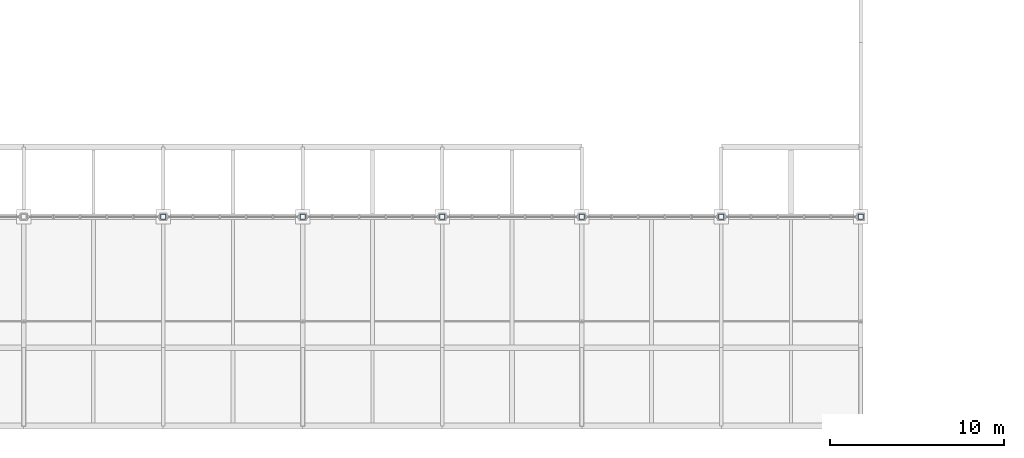
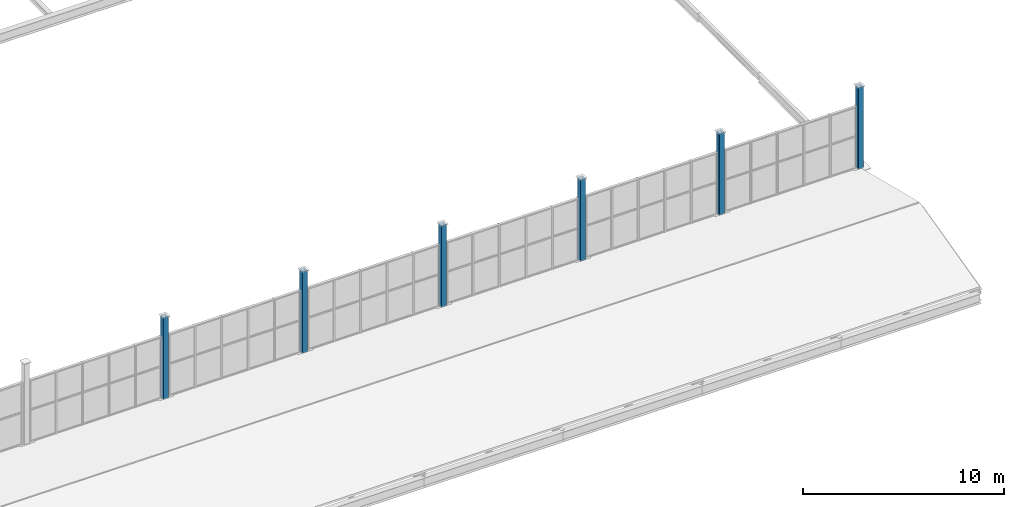
# One storey, part 8 of 96: 6 columns.
"""IFC4 building model written with IfcOpenShell, lengths in metres."""

from ifc_helpers import new_model, si_unit, direction, frame, origin, origin_2d, place, context, subcontext, project, spatial, hollow_rectangle, extrude, material, material_profile, profile_set, type_object, element, save


model = new_model("IFC4")

# Units and contexts
model_context = context("Model", 3, precision=1e-05, world=origin(), true_north=direction((0.0, 1.0)))
body_context = subcontext(model_context, "Body", "Model", "MODEL_VIEW")
ifc_project = project(units=[si_unit("LENGTHUNIT", "METRE"), si_unit("AREAUNIT", "SQUARE_METRE"), si_unit("VOLUMEUNIT", "CUBIC_METRE"), si_unit("PLANEANGLEUNIT", "RADIAN"), si_unit("MASSUNIT", "GRAM", prefix="KILO")], contexts=[model_context])

# Site, building, storey
site_placement = place(None, origin())
site = spatial("IfcSite", under=ifc_project, at=site_placement, CompositionType="ELEMENT")
building_placement = place(site_placement, origin())
building = spatial("IfcBuilding", under=site, at=building_placement, Name="Verrall Gate Interchange", CompositionType="ELEMENT")
storey_placement = place(building_placement, frame((0.0, 0.0, 11.39990234375)))
storey = spatial("IfcBuildingStorey", under=building, at=storey_placement, Name="L03", CompositionType="ELEMENT", Elevation=11.39990234375)

# Columns
ifc_material = material(Name="Structural Steel CSA G40.21 350WT Cat 4", Category="steel")
ifc_material_profile = material_profile(ifc_material, hollow_rectangle(XDim=0.304931640625, YDim=0.304931640625, WallThickness=0.0126953125, InnerFilletRadius=0.0126953125, OuterFilletRadius=0.025390625, at=origin_2d()), Name="HSS305x305x13")
ifc_profile_set = profile_set([ifc_material_profile], Name="Structural Steel CSA G40.21 350WT Cat 4")
column_type = type_object("IfcColumnType", Name="C-12 Column HSS305x305x13", PredefinedType="COLUMN", material=ifc_profile_set)
for number, where, z_axis, x_axis, name in (
    (1, (68.0, 12.0, 0.0), (0.0, 0.0, 1.0), (1.0, 0.0, 0.0), "Grand Concourse Roof Pier Column COL-L03-V1R-1517"),
    (2, (76.0, 12.0, 0.0), (0.0, 0.0, 1.0), (1.0, 0.0, 0.0), "Grand Concourse Roof Pier Column COL-L03-V1R-1519"),
    (3, (84.0, 12.0, 0.0), (0.0, 0.0, 1.0), (1.0, 0.0, 0.0), "Grand Concourse Roof Pier Column COL-L03-V1R-1521"),
    (4, (92.0, 12.0, 0.0), (0.0, 0.0, 1.0), (1.0, 0.0, 0.0), "Grand Concourse Roof Pier Column COL-L03-V1R-1523"),
    (5, (100.0, 12.0, 0.0), (0.0, 0.0, 1.0), (1.0, 0.0, 0.0), "Grand Concourse Roof Pier Column COL-L03-V1R-1525"),
    (6, (108.0, 12.0, 0.0), (0.0, 0.0, 1.0), (1.0, 0.0, 0.0), "Grand Concourse Roof Pier Column COL-L03-V1R-1527"),
):
    element("IfcColumn", number, at=place(storey_placement, frame(where, z_axis=z_axis, x_axis=x_axis)), inside=storey, type_object=column_type, Name=name, PredefinedType="COLUMN", context=body_context, shape_type="SweptSolid", body=[
        extrude(hollow_rectangle(XDim=0.304931640625, YDim=0.304931640625, WallThickness=0.0126953125, InnerFilletRadius=0.0126953125, OuterFilletRadius=0.025390625, at=origin_2d()), origin(), (0.0, 0.0, 1.0), 4.960205078125),
    ])

save(model, "model.ifc")
